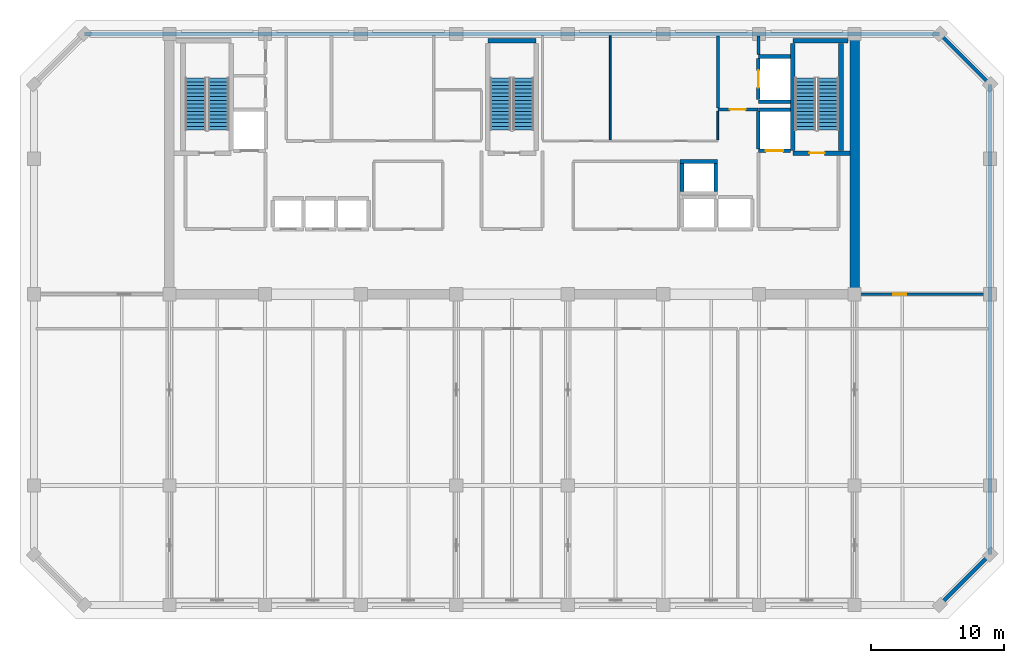
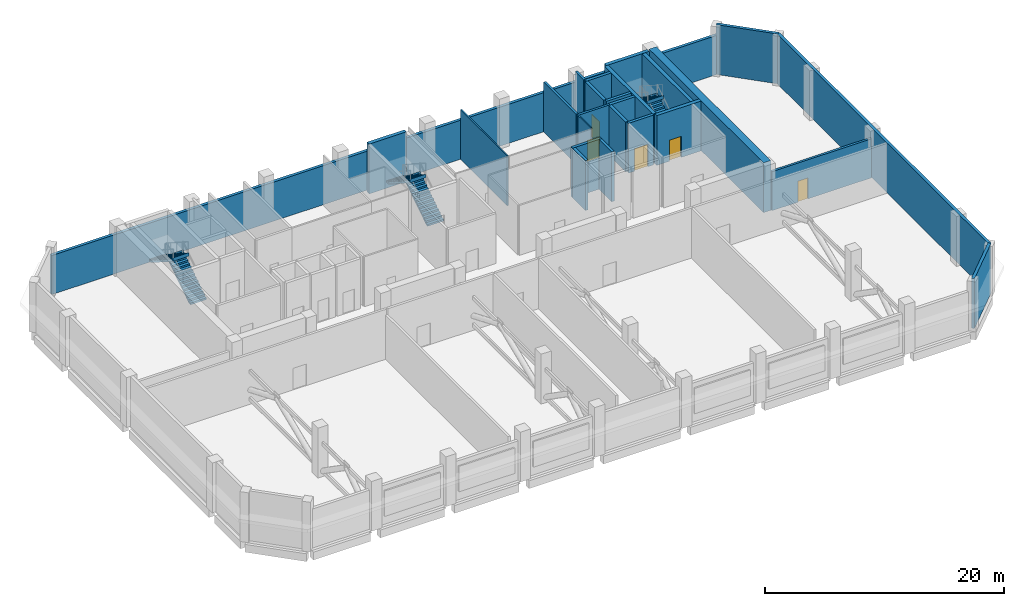
# One storey, part 8 of 11: 25 walls, 6 stair flights, 5 doors, 5 openings, 3 elements without a shape of their own.
"""IFC4 building model written with IfcOpenShell, lengths in metres."""

from ifc_helpers import new_model, si_unit, direction, frame, frame_2d, origin, place, context, subcontext, project, spatial, polyline, rectangle, outline, extrude, material, layer, layer_set, type_object, element, fill, aggregate, save


model = new_model("IFC4")

# Units and contexts
model_context = context("Model", 3, precision=1e-05, world=origin(), true_north=direction((0.0, 1.0)))
body_context = subcontext(model_context, "Body", "Model", "MODEL_VIEW")
ifc_project = project(units=[si_unit("LENGTHUNIT", "METRE"), si_unit("AREAUNIT", "SQUARE_METRE"), si_unit("VOLUMEUNIT", "CUBIC_METRE"), si_unit("PLANEANGLEUNIT", "RADIAN"), si_unit("MASSUNIT", "GRAM", prefix="KILO")], contexts=[model_context])

# Site, building, storey
site_placement = place(None, origin())
site = spatial("IfcSite", under=ifc_project, at=site_placement, CompositionType="ELEMENT")
building_placement = place(site_placement, origin())
building = spatial("IfcBuilding", under=site, at=building_placement, Name="Kaelvorn Grand Hotel", CompositionType="ELEMENT")
storey_placement = place(building_placement, frame((0.0, 0.0, 280.5)))
storey = spatial("IfcBuildingStorey", under=building, at=storey_placement, Name="L69", CompositionType="ELEMENT", Elevation=280.5)

# Walls
ifc_material_1 = material(Name="Concrete C50/60", Category="concrete")
ifc_layer_1 = layer(ifc_material_1, 0.699951171875)
ifc_layer_set_1 = layer_set([ifc_layer_1], Name="Concrete C50/60")
wall_type_1 = type_object("IfcWallType", Name="WL-CORE-700-C50", PredefinedType="SHEAR", material=ifc_layer_set_1)
wall_1_placement = place(storey_placement, frame((67.800048828125, 29.39990234375, 0.0), z_axis=(0.0, 0.0, 1.0), x_axis=(0.0, 1.0, 0.0)))
element("IfcWall", 1, at=wall_1_placement, inside=storey, type_object=wall_type_1, Name="L69 Rear-Core East Shear Wall", PredefinedType="SHEAR", context=body_context, shape_type="SweptSolid", body=[
    extrude(rectangle(XDim=19.2001953125, YDim=0.699951171875, at=frame_2d((9.60009765625, 0.0))), origin(), (0.0, 0.0, 1.0), 5.10009765625),
])
ifc_material_2 = material(Name="Concrete C40/50", Category="concrete")
ifc_layer_2 = layer(ifc_material_2, 0.280029296875)
ifc_layer_set_2 = layer_set([ifc_layer_2], Name="Concrete C40/50")
wall_type_2 = type_object("IfcWallType", Name="WL-EXT-280-C40", PredefinedType="SOLIDWALL", material=ifc_layer_set_2)
wall_2_placement = place(storey_placement, frame((74.199951171875, 6.0, 0.0), z_axis=(0.0, 0.0, 1.0), x_axis=(0.707106781187, 0.707106781187, 0.0)))
element("IfcWall", 2, at=wall_2_placement, inside=storey, type_object=wall_type_2, Name="L69 Exterior Architectural Concrete Wall 02", PredefinedType="SOLIDWALL", context=body_context, shape_type="SweptSolid", body=[
    extrude(rectangle(XDim=5.3740234375, YDim=0.280029296875, at=frame_2d((2.68701171875, 0.0))), origin(), (0.0, 0.0, 1.0), 5.10009765625),
])
wall_3_placement = place(storey_placement, frame((78.0, 9.800048828125, 0.0), z_axis=(0.0, 0.0, 1.0), x_axis=(0.0, 1.0, 0.0)))
element("IfcWall", 3, at=wall_3_placement, inside=storey, type_object=wall_type_2, Name="L69 Exterior Architectural Concrete Wall 03", PredefinedType="SOLIDWALL", context=body_context, shape_type="SweptSolid", body=[
    extrude(rectangle(XDim=35.39990234375, YDim=0.280029296875, at=frame_2d((17.699951171875, 0.0))), origin(), (0.0, 0.0, 1.0), 5.10009765625),
])
wall_4_placement = place(storey_placement, frame((78.0, 45.199951171875, 0.0), z_axis=(0.0, 0.0, 1.0), x_axis=(-0.707106781187, 0.707106781187, 0.0)))
element("IfcWall", 4, at=wall_4_placement, inside=storey, type_object=wall_type_2, Name="L69 Exterior Architectural Concrete Wall 04", PredefinedType="SOLIDWALL", context=body_context, shape_type="SweptSolid", body=[
    extrude(rectangle(XDim=5.3740234375, YDim=0.280029296875, at=frame_2d((2.68701171875, 0.0))), origin(), (0.0, 0.0, 1.0), 5.10009765625),
])
wall_5_placement = place(storey_placement, frame((74.199951171875, 49.0, 0.0), z_axis=(0.0, 0.0, 1.0), x_axis=(-1.0, 0.0, 0.0)))
element("IfcWall", 5, at=wall_5_placement, inside=storey, type_object=wall_type_2, Name="L69 Exterior Architectural Concrete Wall 05", PredefinedType="SOLIDWALL", context=body_context, shape_type="SweptSolid", body=[
    extrude(rectangle(XDim=64.39990234375, YDim=0.280029296875, at=frame_2d((32.199951171875, 0.0))), origin(), (0.0, 0.0, 1.0), 4.0),
])
ifc_material_3 = material(Name="Moisture-Resistant Tile & Stud Board")
ifc_layer_3 = layer(ifc_material_3, 0.125)
ifc_layer_set_3 = layer_set([ifc_layer_3], Name="Moisture-Resistant Tile & Stud Board")
wall_type_3 = type_object("IfcWallType", Name="WL-PART-125-WET", PredefinedType="PARTITIONING", material=ifc_layer_set_3)
wall_6_placement = place(storey_placement, frame((49.39990234375, 41.017578125, 0.0), z_axis=(0.0, 0.0, 1.0), x_axis=(0.0, 1.0, 0.0)))
element("IfcWall", 6, at=wall_6_placement, inside=storey, type_object=wall_type_3, Name="L69 Male Toilets E Partition", PredefinedType="PARTITIONING", context=body_context, shape_type="SweptSolid", body=[
    extrude(rectangle(XDim=7.83251953125, YDim=0.125, at=frame_2d((3.916259765625, 0.0))), origin(), (0.0, 0.0, 1.0), 5.10009765625),
])
wall_7_placement = place(storey_placement, frame((57.5, 41.017578125, 0.0), z_axis=(0.0, 0.0, 1.0), x_axis=(0.0, 1.0, 0.0)))
element("IfcWall", 7, at=wall_7_placement, inside=storey, type_object=wall_type_3, Name="L69 Female Toilets E Partition", PredefinedType="PARTITIONING", context=body_context, shape_type="SweptSolid", body=[
    extrude(rectangle(XDim=2.16748046875, YDim=0.125, at=frame_2d((1.083740234375, 0.0))), origin(), (0.0, 0.0, 1.0), 5.10009765625),
])

# Wall, opening, door
ifc_layer_4 = layer(ifc_material_2, 0.219970703125)
ifc_layer_set_4 = layer_set([ifc_layer_4], Name="Concrete C40/50")
wall_type_4 = type_object("IfcWallType", Name="WL-PART-220-EI120", PredefinedType="PARTITIONING", material=ifc_layer_set_4)
wall_8_placement = place(storey_placement, frame((57.5, 43.300048828125, 0.0), z_axis=(0.0, 0.0, 1.0), x_axis=(1.0, 0.0, 0.0)))
wall_8 = element("IfcWall", 8, at=wall_8_placement, inside=storey, type_object=wall_type_4, Name="L69 Service Lift Lobby S Partition", PredefinedType="PARTITIONING", context=body_context, shape_type="SweptSolid", body=[
    extrude(rectangle(XDim=3.0400390625, YDim=0.219970703125, at=frame_2d((1.52001953125, 0.0))), origin(), (0.0, 0.0, 1.0), 5.10009765625),
])
opening_1_placement = place(wall_8_placement, frame((0.89990234375, 0.0, 0.0)))
opening_1 = element("IfcOpeningElement", 9, at=opening_1_placement, cuts=wall_8, Name="Opening DI2", PredefinedType="OPENING", context=body_context, shape_type="SweptSolid", body=[
    extrude(rectangle(XDim=1.199951171875, YDim=2.14990234375, at=frame_2d((0.60009765625, 1.074951171875))), frame((0.0, 0.1201171875, 0.0), z_axis=(0.0, -1.0, 0.0), x_axis=(1.0, 0.0, 0.0)), (0.0, 0.0, 1.0), 0.239990234375),
])
ifc_material_4 = material(Name="Timber Veneer Fire Leaf", Category="wood")
door_type_1 = type_object("IfcDoorType", Name="DR-INT-FFLOB-1200x2150", OperationType="NOTDEFINED", PredefinedType="DOOR", material=ifc_material_4)
door_1_placement = place(opening_1_placement, origin())
door_1 = element("IfcDoor", 10, at=door_1_placement, inside=storey, type_object=door_type_1, Name="L69 Service Lift Lobby Door", OperationType="SINGLE_SWING_RIGHT", OverallHeight=2.14990234375, OverallWidth=1.199951171875, PredefinedType="DOOR", context=body_context, shape_type="SweptSolid", body=[
    extrude(rectangle(XDim=1.199951171875, YDim=2.14990234375, at=frame_2d((0.60009765625, 1.074951171875))), frame((0.0, 0.02490234375, 0.0), z_axis=(0.0, -1.0, 0.0), x_axis=(1.0, 0.0, 0.0)), (0.0, 0.0, 1.0), 0.050048828125),
])
fill(opening_1, door_1)

# Walls
wall_9_placement = place(storey_placement, frame((57.5, 43.4150390625, 0.0), z_axis=(0.0, 0.0, 1.0), x_axis=(0.0, 1.0, 0.0)))
element("IfcWall", 11, at=wall_9_placement, inside=storey, type_object=wall_type_4, Name="L69 Service Lift Lobby W Partition", PredefinedType="PARTITIONING", context=body_context, shape_type="SweptSolid", body=[
    extrude(rectangle(XDim=5.43505859375, YDim=0.219970703125, at=frame_2d((2.717529296875, 0.0))), origin(), (0.0, 0.0, 1.0), 5.10009765625),
])
wall_10_placement = place(storey_placement, frame((60.550048828125, 47.445068359375, 0.0), z_axis=(0.0, 0.0, 1.0), x_axis=(0.0, 1.0, 0.0)))
element("IfcWall", 12, at=wall_10_placement, inside=storey, type_object=wall_type_4, Name="L69 Service Lift Lobby E Partition", PredefinedType="PARTITIONING", context=body_context, shape_type="SweptSolid", body=[
    extrude(rectangle(XDim=1.405029296875, YDim=0.219970703125, at=frame_2d((0.70263671875, 0.0))), origin(), (0.0, 0.0, 1.0), 5.10009765625),
])

# Wall, opening, door
wall_11_placement = place(storey_placement, frame((68.199951171875, 29.39990234375, 0.0), z_axis=(0.0, 0.0, 1.0), x_axis=(1.0, 0.0, 0.0)))
wall_11 = element("IfcWall", 13, at=wall_11_placement, inside=storey, type_object=wall_type_4, Name="L69 North-East Refuge Area S Partition", PredefinedType="PARTITIONING", context=body_context, shape_type="SweptSolid", body=[
    extrude(rectangle(XDim=9.650146484375, YDim=0.219970703125, at=frame_2d((4.8251953125, 0.0))), origin(), (0.0, 0.0, 1.0), 4.0),
])
opening_2_placement = place(wall_11_placement, frame((2.5, 0.0, 0.0)))
opening_2 = element("IfcOpeningElement", 14, at=opening_2_placement, cuts=wall_11, Name="Opening DI3", PredefinedType="OPENING", context=body_context, shape_type="SweptSolid", body=[
    extrude(rectangle(XDim=1.0, YDim=2.14990234375, at=frame_2d((0.5, 1.074951171875))), frame((0.0, 0.1201171875, 0.0), z_axis=(0.0, -1.0, 0.0), x_axis=(1.0, 0.0, 0.0)), (0.0, 0.0, 1.0), 0.239990234375),
])
door_type_2 = type_object("IfcDoorType", Name="DR-INT-GUEST-1000x2150", OperationType="NOTDEFINED", PredefinedType="DOOR", material=ifc_material_4)
door_2_placement = place(opening_2_placement, origin())
door_2 = element("IfcDoor", 15, at=door_2_placement, inside=storey, type_object=door_type_2, Name="L69 North-East Refuge Area Door", OperationType="SINGLE_SWING_LEFT", OverallHeight=2.14990234375, OverallWidth=1.0, PredefinedType="DOOR", context=body_context, shape_type="SweptSolid", body=[
    extrude(rectangle(XDim=1.0, YDim=2.14990234375, at=frame_2d((0.5, 1.074951171875))), frame((0.0, 0.02490234375, 0.0), z_axis=(0.0, -1.0, 0.0), x_axis=(1.0, 0.0, 0.0)), (0.0, 0.0, 1.0), 0.050048828125),
])
fill(opening_2, door_2)

# Walls
ifc_layer_5 = layer(ifc_material_1, 0.280029296875)
ifc_layer_set_5 = layer_set([ifc_layer_5], Name="Concrete C50/60")
wall_type_5 = type_object("IfcWallType", Name="WL-SHAFT-280-C50", PredefinedType="SHEAR", material=ifc_layer_set_5)
wall_12_placement = place(storey_placement, frame((54.659912109375, 39.39990234375, 0.0), z_axis=(0.0, 0.0, 1.0), x_axis=(1.0, 0.0, 0.0)))
element("IfcWall", 16, at=wall_12_placement, inside=storey, type_object=wall_type_5, Name="L69 Lift OL-3 Shaft North Wall", PredefinedType="SHEAR", context=body_context, shape_type="SweptSolid", body=[
    extrude(rectangle(XDim=2.830078125, YDim=0.280029296875, at=frame_2d((1.4150390625, 0.0))), origin(), (0.0, 0.0, 1.0), 5.10009765625),
])
for number, where, z_axis, x_axis, name in (
    (17, (54.800048828125, 37.14501953125, 0.0), (0.0, 0.0, 1.0), (0.0, 1.0, 0.0), "L69 Lift OL-3 Shaft West Wall"),
    (18, (57.35009765625, 37.14501953125, 0.0), (0.0, 0.0, 1.0), (0.0, 1.0, 0.0), "L69 Lift OL-3 Shaft East Wall"),
):
    element("IfcWall", number, at=place(storey_placement, frame(where, z_axis=z_axis, x_axis=x_axis)), inside=storey, type_object=wall_type_5, Name=name, PredefinedType="SHEAR", context=body_context, shape_type="SweptSolid", body=[
        extrude(rectangle(XDim=2.10986328125, YDim=0.280029296875, at=frame_2d((1.054931640625, 0.0))), origin(), (0.0, 0.0, 1.0), 5.10009765625),
    ])

# Wall, opening, door
wall_13_placement = place(storey_placement, frame((60.550048828125, 40.199951171875, 0.0), z_axis=(0.0, 0.0, 1.0), x_axis=(1.0, 0.0, 0.0)))
wall_13 = element("IfcWall", 19, at=wall_13_placement, inside=storey, type_object=wall_type_5, Name="L69 Lift FFL2 Shaft South Wall", PredefinedType="SHEAR", context=body_context, shape_type="SweptSolid", body=[
    extrude(rectangle(XDim=2.4150390625, YDim=0.280029296875, at=frame_2d((1.20751953125, 0.0))), origin(), (0.0, 0.0, 1.0), 5.10009765625),
])
opening_3_placement = place(wall_13_placement, frame((0.574951171875, 0.0, 0.0)))
opening_3 = element("IfcOpeningElement", 20, at=opening_3_placement, cuts=wall_13, Name="Opening LD-FFL2", PredefinedType="OPENING", context=body_context, shape_type="SweptSolid", body=[
    extrude(rectangle(XDim=1.300048828125, YDim=2.300048828125, at=frame_2d((0.64990234375, 1.14990234375))), frame((0.0, 0.14990234375, 0.0), z_axis=(0.0, -1.0, 0.0), x_axis=(1.0, 0.0, 0.0)), (0.0, 0.0, 1.0), 0.300048828125),
])
ifc_material_5 = material(Name="Stainless Steel", Category="steel")
door_type_3 = type_object("IfcDoorType", Name="DR-LIFT-SERV-1300x2300", OperationType="DOUBLE_DOOR_SLIDING", PredefinedType="DOOR", material=ifc_material_5)
door_3_placement = place(opening_3_placement, origin())
door_3 = element("IfcDoor", 21, at=door_3_placement, inside=storey, type_object=door_type_3, Name="L69 Lift FFL2 Sliding Landing Door LD-FFL2", OperationType="DOUBLE_DOOR_SLIDING", OverallHeight=2.300048828125, OverallWidth=1.300048828125, PredefinedType="DOOR", context=body_context, shape_type="SweptSolid", body=[
    extrude(rectangle(XDim=1.300048828125, YDim=2.300048828125, at=frame_2d((0.64990234375, 1.14990234375))), frame((0.0, 0.02490234375, 0.0), z_axis=(0.0, -1.0, 0.0), x_axis=(1.0, 0.0, 0.0)), (0.0, 0.0, 1.0), 0.050048828125),
])
fill(opening_3, door_3)

# Walls
wall_14_placement = place(storey_placement, frame((60.550048828125, 43.300048828125, 0.0), z_axis=(0.0, 0.0, 1.0), x_axis=(1.0, 0.0, 0.0)))
element("IfcWall", 22, at=wall_14_placement, inside=storey, type_object=wall_type_5, Name="L69 Lift FFL2 Shaft North Wall", PredefinedType="SHEAR", context=body_context, shape_type="SweptSolid", body=[
    extrude(rectangle(XDim=2.4150390625, YDim=0.280029296875, at=frame_2d((1.20751953125, 0.0))), origin(), (0.0, 0.0, 1.0), 5.10009765625),
])
wall_15_placement = place(storey_placement, frame((60.550048828125, 40.344970703125, 0.0), z_axis=(0.0, 0.0, 1.0), x_axis=(0.0, 1.0, 0.0)))
element("IfcWall", 23, at=wall_15_placement, inside=storey, type_object=wall_type_5, Name="L69 Lift FFL2 Shaft West Wall", PredefinedType="SHEAR", context=body_context, shape_type="SweptSolid", body=[
    extrude(rectangle(XDim=2.81005859375, YDim=0.280029296875, at=frame_2d((1.405029296875, 0.0))), origin(), (0.0, 0.0, 1.0), 5.10009765625),
])
for number, where, z_axis, x_axis, name in (
    (24, (60.550048828125, 43.89990234375, 0.0), (0.0, 0.0, 1.0), (1.0, 0.0, 0.0), "L69 Lift SV1 Shaft South Wall"),
    (25, (60.550048828125, 47.300048828125, 0.0), (0.0, 0.0, 1.0), (1.0, 0.0, 0.0), "L69 Lift SV1 Shaft North Wall"),
):
    element("IfcWall", number, at=place(storey_placement, frame(where, z_axis=z_axis, x_axis=x_axis)), inside=storey, type_object=wall_type_5, Name=name, PredefinedType="SHEAR", context=body_context, shape_type="SweptSolid", body=[
        extrude(rectangle(XDim=2.4150390625, YDim=0.280029296875, at=frame_2d((1.20751953125, 0.0))), origin(), (0.0, 0.0, 1.0), 5.10009765625),
    ])

# Wall, opening, door
wall_16_placement = place(storey_placement, frame((60.550048828125, 44.044921875, 0.0), z_axis=(0.0, 0.0, 1.0), x_axis=(0.0, 1.0, 0.0)))
wall_16 = element("IfcWall", 26, at=wall_16_placement, inside=storey, type_object=wall_type_5, Name="L69 Lift SV1 Shaft West Wall", PredefinedType="SHEAR", context=body_context, shape_type="SweptSolid", body=[
    extrude(rectangle(XDim=3.110107421875, YDim=0.280029296875, at=frame_2d((1.55517578125, 0.0))), origin(), (0.0, 0.0, 1.0), 5.10009765625),
])
opening_4_placement = place(wall_16_placement, frame((0.905029296875, 0.0, 0.0)))
opening_4 = element("IfcOpeningElement", 27, at=opening_4_placement, cuts=wall_16, Name="Opening LD-SV1", PredefinedType="OPENING", context=body_context, shape_type="SweptSolid", body=[
    extrude(rectangle(XDim=1.300048828125, YDim=2.300048828125, at=frame_2d((0.64990234375, 1.14990234375))), frame((0.0, 0.14990234375, 0.0), z_axis=(0.0, -1.0, 0.0), x_axis=(1.0, 0.0, 0.0)), (0.0, 0.0, 1.0), 0.300048828125),
])
door_4_placement = place(opening_4_placement, origin())
door_4 = element("IfcDoor", 28, at=door_4_placement, inside=storey, type_object=door_type_3, Name="L69 Lift SV1 Sliding Landing Door LD-SV1", OperationType="DOUBLE_DOOR_SLIDING", OverallHeight=2.300048828125, OverallWidth=1.300048828125, PredefinedType="DOOR", context=body_context, shape_type="SweptSolid", body=[
    extrude(rectangle(XDim=1.300048828125, YDim=2.300048828125, at=frame_2d((0.64990234375, 1.14990234375))), frame((0.0, 0.02490234375, 0.0), z_axis=(0.0, -1.0, 0.0), x_axis=(1.0, 0.0, 0.0)), (0.0, 0.0, 1.0), 0.050048828125),
])
fill(opening_4, door_4)

# Wall
ifc_material_6 = material(Name="Concrete C60/75", Category="concrete")
ifc_layer_6 = layer(ifc_material_6, 0.35009765625)
ifc_layer_set_6 = layer_set([ifc_layer_6], Name="Concrete C60/75")
wall_type_6 = type_object("IfcWallType", Name="WL-SHAFT-350-C60", PredefinedType="SHEAR", material=ifc_layer_set_6)
wall_17_placement = place(storey_placement, frame((40.18505859375, 48.47509765625, 0.0), z_axis=(0.0, 0.0, 1.0), x_axis=(1.0, 0.0, 0.0)))
element("IfcWall", 29, at=wall_17_placement, inside=storey, type_object=wall_type_6, Name="L69 ST2 Stair Shaft North Wall", PredefinedType="SHEAR", context=body_context, shape_type="SweptSolid", body=[
    extrude(rectangle(XDim=3.6298828125, YDim=0.35009765625, at=frame_2d((1.81494140625, 0.0))), origin(), (0.0, 0.0, 1.0), 5.10009765625),
])

# Wall, opening, door
wall_18_placement = place(storey_placement, frame((63.14501953125, 40.02490234375, 0.0), z_axis=(0.0, 0.0, 1.0), x_axis=(1.0, 0.0, 0.0)))
wall_18 = element("IfcWall", 30, at=wall_18_placement, inside=storey, type_object=wall_type_6, Name="L69 ST3 Stair Shaft South Wall", PredefinedType="SHEAR", context=body_context, shape_type="SweptSolid", body=[
    extrude(rectangle(XDim=4.300048828125, YDim=0.35009765625, at=frame_2d((2.14990234375, 0.0))), origin(), (0.0, 0.0, 1.0), 5.10009765625),
])
opening_5_placement = place(wall_18_placement, frame((1.239990234375, 0.0, 0.0)))
opening_5 = element("IfcOpeningElement", 31, at=opening_5_placement, cuts=wall_18, Name="Opening DI1", PredefinedType="OPENING", context=body_context, shape_type="SweptSolid", body=[
    extrude(rectangle(XDim=1.14990234375, YDim=2.14990234375, at=frame_2d((0.574951171875, 1.074951171875))), frame((0.0, 0.18505859375, 0.0), z_axis=(0.0, -1.0, 0.0), x_axis=(1.0, 0.0, 0.0)), (0.0, 0.0, 1.0), 0.3701171875),
])
door_type_4 = type_object("IfcDoorType", Name="DR-INT-STAIR-1150x2150", OperationType="NOTDEFINED", PredefinedType="DOOR", material=ifc_material_4)
door_5_placement = place(opening_5_placement, origin())
door_5 = element("IfcDoor", 32, at=door_5_placement, inside=storey, type_object=door_type_4, Name="L69 ST3 Exit Stair Fire Door", OperationType="SINGLE_SWING_RIGHT", OverallHeight=2.14990234375, OverallWidth=1.14990234375, PredefinedType="DOOR", context=body_context, shape_type="SweptSolid", body=[
    extrude(rectangle(XDim=1.14990234375, YDim=2.14990234375, at=frame_2d((0.574951171875, 1.074951171875))), frame((0.0, 0.02490234375, 0.0), z_axis=(0.0, -1.0, 0.0), x_axis=(1.0, 0.0, 0.0)), (0.0, 0.0, 1.0), 0.050048828125),
])
fill(opening_5, door_5)

# Walls
wall_19_placement = place(storey_placement, frame((63.14501953125, 48.47509765625, 0.0), z_axis=(0.0, 0.0, 1.0), x_axis=(1.0, 0.0, 0.0)))
element("IfcWall", 33, at=wall_19_placement, inside=storey, type_object=wall_type_6, Name="L69 ST3 Stair Shaft North Wall", PredefinedType="SHEAR", context=body_context, shape_type="SweptSolid", body=[
    extrude(rectangle(XDim=4.14990234375, YDim=0.35009765625, at=frame_2d((2.074951171875, 0.0))), origin(), (0.0, 0.0, 1.0), 5.10009765625),
])
for number, where, z_axis, x_axis, name in (
    (34, (63.14501953125, 40.205078125, 0.0), (0.0, 0.0, 1.0), (0.0, 1.0, 0.0), "L69 ST3 Stair Shaft West Wall"),
    (35, (66.77490234375, 40.205078125, 0.0), (0.0, 0.0, 1.0), (0.0, 1.0, 0.0), "L69 ST3 Stair Shaft East Wall"),
):
    element("IfcWall", number, at=place(storey_placement, frame(where, z_axis=z_axis, x_axis=x_axis)), inside=storey, type_object=wall_type_6, Name=name, PredefinedType="SHEAR", context=body_context, shape_type="SweptSolid", body=[
        extrude(rectangle(XDim=8.08984375, YDim=0.35009765625, at=frame_2d((4.044921875, 0.0))), origin(), (0.0, 0.0, 1.0), 5.10009765625),
    ])

# Stair, stair flights
stair_type = type_object("IfcStairType", Name="STR-DOG-1560-R04", PredefinedType="HALF_TURN_STAIR", material=ifc_material_2)
stair_1_placement = place(storey_placement, origin())
stair_1 = element("IfcStair", 36, at=stair_1_placement, inside=storey, type_object=stair_type, Name="L69 West Core Exit Stair ST1", PredefinedType="HALF_TURN_STAIR")
stair_flight_type = type_object("IfcStairFlightType", Name="FLG-DOG-1560-R04", PredefinedType="STRAIGHT", material=ifc_material_2)
stair_flight_1_placement = place(storey_placement, frame((19.89990234375, 41.760009765625, 0.0), z_axis=(0.0, 0.0, 1.0), x_axis=(0.0, 1.0, 0.0)))
stair_flight_1 = element("IfcStairFlight", 37, at=stair_flight_1_placement, type_object=stair_flight_type, Name="ST1 flight 1", NumberOfRisers=15, NumberOfTreads=14, PredefinedType="STRAIGHT", RiserHeight=0.18, TreadLength=0.28, context=body_context, shape_type="SweptSolid", body=[
    extrude(outline(polyline([(-0.0048828125, 0.0), (-0.0048828125, 0.0400390625), (0.0, 0.179931640625), (0.280029296875, 0.179931640625), (0.280029296875, 0.360107421875), (0.56005859375, 0.360107421875), (0.56005859375, 0.5400390625), (0.840087890625, 0.5400390625), (0.840087890625, 0.719970703125), (1.1201171875, 0.719970703125), (1.1201171875, 0.89990234375), (1.39990234375, 0.89990234375), (1.39990234375, 1.080078125), (1.679931640625, 1.080078125), (1.679931640625, 1.260009765625), (1.9599609375, 1.260009765625), (1.9599609375, 1.43994140625), (2.239990234375, 1.43994140625), (2.239990234375, 1.6201171875), (2.52001953125, 1.6201171875), (2.52001953125, 1.800048828125), (2.800048828125, 1.800048828125), (2.800048828125, 1.97998046875), (3.080078125, 1.97998046875), (3.080078125, 2.159912109375), (3.360107421875, 2.159912109375), (3.360107421875, 2.340087890625), (3.639892578125, 2.340087890625), (3.639892578125, 2.52001953125), (3.919921875, 2.52001953125), (3.919921875, 2.699951171875), (3.925048828125, 2.699951171875), (3.925048828125, 2.341796875), (0.277099609375, 0.0), (-0.0048828125, 0.0)])), frame((0.0, 0.780029296875, 0.0), z_axis=(0.0, -1.0, 0.0), x_axis=(1.0, 0.0, 0.0)), (0.0, 0.0, 1.0), 1.56005859375),
])
stair_flight_2_placement = place(storey_placement, frame((18.179931640625, 45.679931640625, 2.699951171875), z_axis=(0.0, 0.0, 1.0), x_axis=(0.0, -1.0, 0.0)))
stair_flight_2 = element("IfcStairFlight", 38, at=stair_flight_2_placement, type_object=stair_flight_type, Name="ST1 flight 2", NumberOfRisers=15, NumberOfTreads=14, PredefinedType="STRAIGHT", RiserHeight=0.18, TreadLength=0.28, context=body_context, shape_type="SweptSolid", body=[
    extrude(outline(polyline([(-0.0048828125, 0.0), (-0.0048828125, 0.0400390625), (0.0, 0.179931640625), (0.280029296875, 0.179931640625), (0.280029296875, 0.360107421875), (0.56005859375, 0.360107421875), (0.56005859375, 0.5400390625), (0.840087890625, 0.5400390625), (0.840087890625, 0.719970703125), (1.1201171875, 0.719970703125), (1.1201171875, 0.89990234375), (1.39990234375, 0.89990234375), (1.39990234375, 1.080078125), (1.679931640625, 1.080078125), (1.679931640625, 1.260009765625), (1.9599609375, 1.260009765625), (1.9599609375, 1.43994140625), (2.239990234375, 1.43994140625), (2.239990234375, 1.6201171875), (2.52001953125, 1.6201171875), (2.52001953125, 1.800048828125), (2.800048828125, 1.800048828125), (2.800048828125, 1.97998046875), (3.080078125, 1.97998046875), (3.080078125, 2.159912109375), (3.360107421875, 2.159912109375), (3.360107421875, 2.340087890625), (3.639892578125, 2.340087890625), (3.639892578125, 2.52001953125), (3.919921875, 2.52001953125), (3.919921875, 2.699951171875), (3.925048828125, 2.699951171875), (3.925048828125, 2.341796875), (0.277099609375, 0.0), (-0.0048828125, 0.0)])), frame((0.0, 0.780029296875, 0.0), z_axis=(0.0, -1.0, 0.0), x_axis=(1.0, 0.0, 0.0)), (0.0, 0.0, 1.0), 1.56005859375),
])
aggregate(stair_1, [stair_flight_1, stair_flight_2])

stair_2_placement = place(storey_placement, origin())
stair_2 = element("IfcStair", 39, at=stair_2_placement, inside=storey, type_object=stair_type, Name="L69 Central Core Exit Stair ST2", PredefinedType="HALF_TURN_STAIR")
stair_flight_3_placement = place(storey_placement, frame((42.860107421875, 41.760009765625, 0.0), z_axis=(0.0, 0.0, 1.0), x_axis=(0.0, 1.0, 0.0)))
stair_flight_3 = element("IfcStairFlight", 40, at=stair_flight_3_placement, type_object=stair_flight_type, Name="ST2 flight 1", NumberOfRisers=15, NumberOfTreads=14, PredefinedType="STRAIGHT", RiserHeight=0.18, TreadLength=0.28, context=body_context, shape_type="SweptSolid", body=[
    extrude(outline(polyline([(-0.0048828125, 0.0), (-0.0048828125, 0.0400390625), (0.0, 0.179931640625), (0.280029296875, 0.179931640625), (0.280029296875, 0.360107421875), (0.56005859375, 0.360107421875), (0.56005859375, 0.5400390625), (0.840087890625, 0.5400390625), (0.840087890625, 0.719970703125), (1.1201171875, 0.719970703125), (1.1201171875, 0.89990234375), (1.39990234375, 0.89990234375), (1.39990234375, 1.080078125), (1.679931640625, 1.080078125), (1.679931640625, 1.260009765625), (1.9599609375, 1.260009765625), (1.9599609375, 1.43994140625), (2.239990234375, 1.43994140625), (2.239990234375, 1.6201171875), (2.52001953125, 1.6201171875), (2.52001953125, 1.800048828125), (2.800048828125, 1.800048828125), (2.800048828125, 1.97998046875), (3.080078125, 1.97998046875), (3.080078125, 2.159912109375), (3.360107421875, 2.159912109375), (3.360107421875, 2.340087890625), (3.639892578125, 2.340087890625), (3.639892578125, 2.52001953125), (3.919921875, 2.52001953125), (3.919921875, 2.699951171875), (3.925048828125, 2.699951171875), (3.925048828125, 2.341796875), (0.277099609375, 0.0), (-0.0048828125, 0.0)])), frame((0.0, 0.780029296875, 0.0), z_axis=(0.0, -1.0, 0.0), x_axis=(1.0, 0.0, 0.0)), (0.0, 0.0, 1.0), 1.56005859375),
])
stair_flight_4_placement = place(storey_placement, frame((41.139892578125, 45.679931640625, 2.699951171875), z_axis=(0.0, 0.0, 1.0), x_axis=(0.0, -1.0, 0.0)))
stair_flight_4 = element("IfcStairFlight", 41, at=stair_flight_4_placement, type_object=stair_flight_type, Name="ST2 flight 2", NumberOfRisers=15, NumberOfTreads=14, PredefinedType="STRAIGHT", RiserHeight=0.18, TreadLength=0.28, context=body_context, shape_type="SweptSolid", body=[
    extrude(outline(polyline([(-0.0048828125, 0.0), (-0.0048828125, 0.0400390625), (0.0, 0.179931640625), (0.280029296875, 0.179931640625), (0.280029296875, 0.360107421875), (0.56005859375, 0.360107421875), (0.56005859375, 0.5400390625), (0.840087890625, 0.5400390625), (0.840087890625, 0.719970703125), (1.1201171875, 0.719970703125), (1.1201171875, 0.89990234375), (1.39990234375, 0.89990234375), (1.39990234375, 1.080078125), (1.679931640625, 1.080078125), (1.679931640625, 1.260009765625), (1.9599609375, 1.260009765625), (1.9599609375, 1.43994140625), (2.239990234375, 1.43994140625), (2.239990234375, 1.6201171875), (2.52001953125, 1.6201171875), (2.52001953125, 1.800048828125), (2.800048828125, 1.800048828125), (2.800048828125, 1.97998046875), (3.080078125, 1.97998046875), (3.080078125, 2.159912109375), (3.360107421875, 2.159912109375), (3.360107421875, 2.340087890625), (3.639892578125, 2.340087890625), (3.639892578125, 2.52001953125), (3.919921875, 2.52001953125), (3.919921875, 2.699951171875), (3.925048828125, 2.699951171875), (3.925048828125, 2.341796875), (0.277099609375, 0.0), (-0.0048828125, 0.0)])), frame((0.0, 0.780029296875, 0.0), z_axis=(0.0, -1.0, 0.0), x_axis=(1.0, 0.0, 0.0)), (0.0, 0.0, 1.0), 1.56005859375),
])
aggregate(stair_2, [stair_flight_3, stair_flight_4])

stair_3_placement = place(storey_placement, origin())
stair_3 = element("IfcStair", 42, at=stair_3_placement, inside=storey, type_object=stair_type, Name="L69 East Core Exit Stair ST3", PredefinedType="HALF_TURN_STAIR")
stair_flight_5_placement = place(storey_placement, frame((65.820068359375, 41.760009765625, 0.0), z_axis=(0.0, 0.0, 1.0), x_axis=(0.0, 1.0, 0.0)))
stair_flight_5 = element("IfcStairFlight", 43, at=stair_flight_5_placement, type_object=stair_flight_type, Name="ST3 flight 1", NumberOfRisers=15, NumberOfTreads=14, PredefinedType="STRAIGHT", RiserHeight=0.18, TreadLength=0.28, context=body_context, shape_type="SweptSolid", body=[
    extrude(outline(polyline([(-0.0048828125, 0.0), (-0.0048828125, 0.0400390625), (0.0, 0.179931640625), (0.280029296875, 0.179931640625), (0.280029296875, 0.360107421875), (0.56005859375, 0.360107421875), (0.56005859375, 0.5400390625), (0.840087890625, 0.5400390625), (0.840087890625, 0.719970703125), (1.1201171875, 0.719970703125), (1.1201171875, 0.89990234375), (1.39990234375, 0.89990234375), (1.39990234375, 1.080078125), (1.679931640625, 1.080078125), (1.679931640625, 1.260009765625), (1.9599609375, 1.260009765625), (1.9599609375, 1.43994140625), (2.239990234375, 1.43994140625), (2.239990234375, 1.6201171875), (2.52001953125, 1.6201171875), (2.52001953125, 1.800048828125), (2.800048828125, 1.800048828125), (2.800048828125, 1.97998046875), (3.080078125, 1.97998046875), (3.080078125, 2.159912109375), (3.360107421875, 2.159912109375), (3.360107421875, 2.340087890625), (3.639892578125, 2.340087890625), (3.639892578125, 2.52001953125), (3.919921875, 2.52001953125), (3.919921875, 2.699951171875), (3.925048828125, 2.699951171875), (3.925048828125, 2.341796875), (0.277099609375, 0.0), (-0.0048828125, 0.0)])), frame((0.0, 0.780029296875, 0.0), z_axis=(0.0, -1.0, 0.0), x_axis=(1.0, 0.0, 0.0)), (0.0, 0.0, 1.0), 1.56005859375),
])
stair_flight_6_placement = place(storey_placement, frame((64.10009765625, 45.679931640625, 2.699951171875), z_axis=(0.0, 0.0, 1.0), x_axis=(0.0, -1.0, 0.0)))
stair_flight_6 = element("IfcStairFlight", 44, at=stair_flight_6_placement, type_object=stair_flight_type, Name="ST3 flight 2", NumberOfRisers=15, NumberOfTreads=14, PredefinedType="STRAIGHT", RiserHeight=0.18, TreadLength=0.28, context=body_context, shape_type="SweptSolid", body=[
    extrude(outline(polyline([(-0.0048828125, 0.0), (-0.0048828125, 0.0400390625), (0.0, 0.179931640625), (0.280029296875, 0.179931640625), (0.280029296875, 0.360107421875), (0.56005859375, 0.360107421875), (0.56005859375, 0.5400390625), (0.840087890625, 0.5400390625), (0.840087890625, 0.719970703125), (1.1201171875, 0.719970703125), (1.1201171875, 0.89990234375), (1.39990234375, 0.89990234375), (1.39990234375, 1.080078125), (1.679931640625, 1.080078125), (1.679931640625, 1.260009765625), (1.9599609375, 1.260009765625), (1.9599609375, 1.43994140625), (2.239990234375, 1.43994140625), (2.239990234375, 1.6201171875), (2.52001953125, 1.6201171875), (2.52001953125, 1.800048828125), (2.800048828125, 1.800048828125), (2.800048828125, 1.97998046875), (3.080078125, 1.97998046875), (3.080078125, 2.159912109375), (3.360107421875, 2.159912109375), (3.360107421875, 2.340087890625), (3.639892578125, 2.340087890625), (3.639892578125, 2.52001953125), (3.919921875, 2.52001953125), (3.919921875, 2.699951171875), (3.925048828125, 2.699951171875), (3.925048828125, 2.341796875), (0.277099609375, 0.0), (-0.0048828125, 0.0)])), frame((0.0, 0.780029296875, 0.0), z_axis=(0.0, -1.0, 0.0), x_axis=(1.0, 0.0, 0.0)), (0.0, 0.0, 1.0), 1.56005859375),
])
aggregate(stair_3, [stair_flight_5, stair_flight_6])

save(model, "model.ifc")
